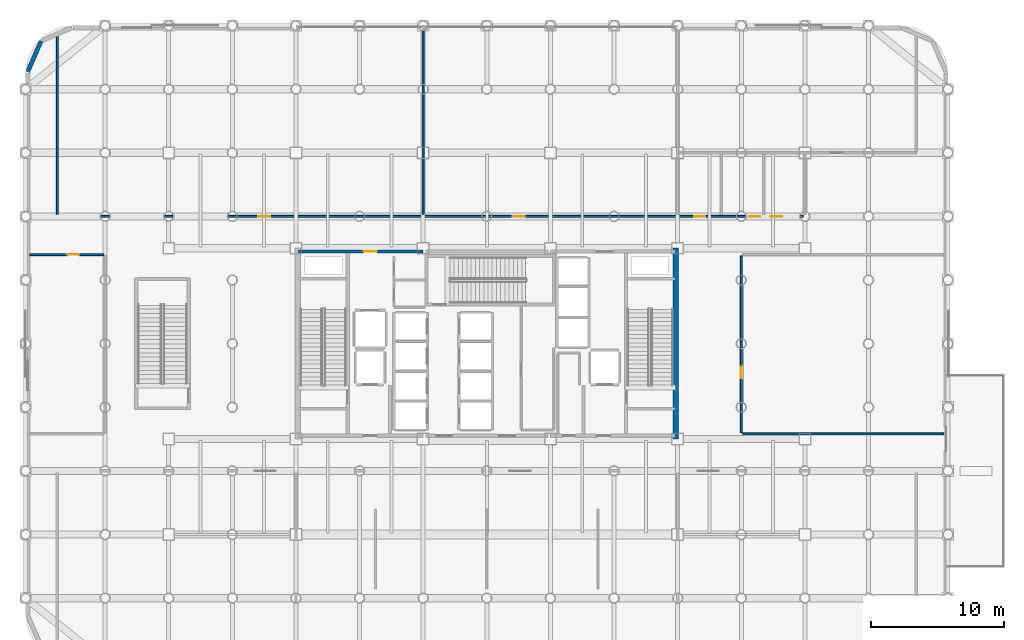
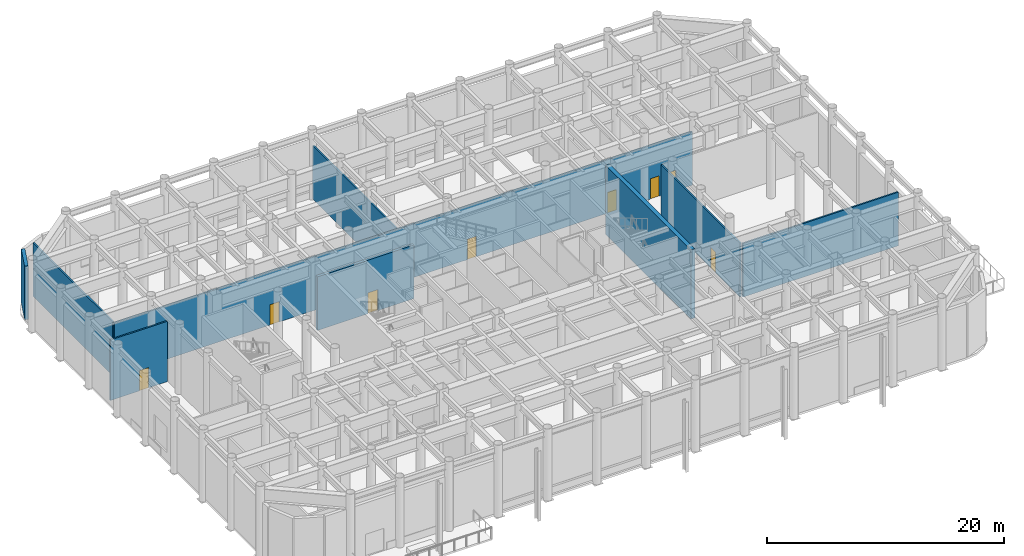
# One storey, part 16 of 23: 9 walls, 8 doors, 8 openings.
"""IFC4 building model written with IfcOpenShell, lengths in metres."""

from ifc_helpers import new_model, si_unit, direction, frame, frame_2d, origin, place, context, subcontext, project, spatial, rectangle, extrude, material, layer, layer_set, type_object, element, fill, save


model = new_model("IFC4")

# Units and contexts
model_context = context("Model", 3, precision=1e-05, world=origin(), true_north=direction((0.0, 1.0)))
body_context = subcontext(model_context, "Body", "Model", "MODEL_VIEW")
ifc_project = project(units=[si_unit("LENGTHUNIT", "METRE"), si_unit("AREAUNIT", "SQUARE_METRE"), si_unit("VOLUMEUNIT", "CUBIC_METRE"), si_unit("PLANEANGLEUNIT", "RADIAN"), si_unit("MASSUNIT", "GRAM", prefix="KILO")], contexts=[model_context])

# Site, building, storey
site_placement = place(None, origin())
site = spatial("IfcSite", under=ifc_project, at=site_placement, CompositionType="ELEMENT")
building_placement = place(site_placement, origin())
building = spatial("IfcBuilding", under=site, at=building_placement, Name="Kallvorn Hotel Tower", CompositionType="ELEMENT")
storey_placement = place(building_placement, frame((0.0, 0.0, 12.0)))
storey = spatial("IfcBuildingStorey", under=building, at=storey_placement, Name="L02", CompositionType="ELEMENT", Elevation=12.0)

# Walls
ifc_material_1 = material(Name="Concrete C50/60", Category="concrete")
ifc_layer_1 = layer(ifc_material_1, 0.39990234375)
ifc_layer_set_1 = layer_set([ifc_layer_1], Name="WL_CORE_400")
wall_type_1 = type_object("IfcWallType", Name="WL_CORE_400", PredefinedType="SHEAR", material=ifc_layer_set_1)
wall_1_placement = place(storey_placement, frame((14.264892578125, -7.199951171875, -0.219970703125), z_axis=(0.0, 0.0, 1.0), x_axis=(0.0, 1.0, 0.0)))
element("IfcWall", 1, at=wall_1_placement, inside=storey, type_object=wall_type_1, Name="L02 Core East Shear Wall", PredefinedType="SHEAR", context=body_context, shape_type="SweptSolid", body=[
    extrude(rectangle(XDim=14.39990234375, YDim=0.39990234375, at=frame_2d((7.199951171875, 0.0))), origin(), (0.0, 0.0, 1.0), 7.139892578125),
])
ifc_material_2 = material(Name="Precast basalt-clad insulated concrete wall C40/50", Category="masonry")
ifc_layer_2 = layer(ifc_material_2, 0.320068359375)
ifc_layer_set_2 = layer_set([ifc_layer_2], Name="WL_EXT_BAY_320")
wall_type_2 = type_object("IfcWallType", Name="WL_EXT_BAY_320", PredefinedType="SOLIDWALL", material=ifc_layer_set_2)
wall_2_placement = place(storey_placement, frame((-33.63232421875, 22.83251953125, 0.0), z_axis=(0.0, 0.0, 1.0), x_axis=(-0.398786293654, -0.917043887714, 0.0)))
element("IfcWall", 2, at=wall_2_placement, inside=storey, type_object=wall_type_2, Name="L02 Rounded Corner Exterior Wall NW2", PredefinedType="SOLIDWALL", context=body_context, shape_type="SweptSolid", body=[
    extrude(rectangle(XDim=2.521728515625, YDim=0.320068359375, at=frame_2d((1.2607421875, 0.0))), origin(), (0.0, 0.0, 1.0), 5.52001953125),
])
ifc_material_3 = material(Name="Fire-rated double-layer acoustic gypsum drywall EI 60")
ifc_layer_3 = layer(ifc_material_3, 0.14990234375)
ifc_layer_set_3 = layer_set([ifc_layer_3], Name="WL_PART_150")
wall_type_3 = type_object("IfcWallType", Name="WL_PART_150", PredefinedType="PARTITIONING", material=ifc_layer_set_3)
wall_3_placement = place(storey_placement, frame((19.320068359375, -6.800048828125, 0.0), z_axis=(0.0, 0.0, 1.0), x_axis=(1.0, 0.0, 0.0)))
element("IfcWall", 3, at=wall_3_placement, inside=storey, type_object=wall_type_3, Name="L02 East Cascade Terrace Banquet Gallery Partition", PredefinedType="PARTITIONING", context=body_context, shape_type="SweptSolid", body=[
    extrude(rectangle(XDim=15.14990234375, YDim=0.14990234375, at=frame_2d((7.574951171875, 0.0))), origin(), (0.0, 0.0, 1.0), 5.52001953125),
])

# Wall, opening, door
wall_4_placement = place(storey_placement, frame((-34.469970703125, 6.716796875, 0.0), z_axis=(0.0, 0.0, 1.0), x_axis=(1.0, 0.0, 0.0)))
wall_4 = element("IfcWall", 4, at=wall_4_placement, inside=storey, type_object=wall_type_3, Name="L02 West Ballroom Reception Bar Partition", PredefinedType="PARTITIONING", context=body_context, shape_type="SweptSolid", body=[
    extrude(rectangle(XDim=5.550048828125, YDim=0.14990234375, at=frame_2d((2.77490234375, 0.0))), origin(), (0.0, 0.0, 1.0), 6.219970703125),
])
opening_1_placement = place(wall_4_placement, frame((2.820068359375, 0.0, 0.0)))
opening_1 = element("IfcOpeningElement", 5, at=opening_1_placement, cuts=wall_4, Name="Opening SVD1", PredefinedType="OPENING", context=body_context, shape_type="SweptSolid", body=[
    extrude(rectangle(XDim=0.89990234375, YDim=2.10009765625, at=frame_2d((0.449951171875, 1.050048828125))), frame((0.0, 0.08984375, 0.0), z_axis=(0.0, -1.0, 0.0), x_axis=(1.0, 0.0, 0.0)), (0.0, 0.0, 1.0), 0.179931640625),
])
ifc_material_4 = material(Name="Galvanised painted steel fire-rated door assembly", Category="steel")
door_type_1 = type_object("IfcDoorType", Name="DR_SERV_900x2100", OperationType="NOTDEFINED", PredefinedType="DOOR", material=ifc_material_4)
door_1_placement = place(opening_1_placement, origin())
door_1 = element("IfcDoor", 6, at=door_1_placement, inside=storey, type_object=door_type_1, Name="L02 West Ballroom Reception Bar Door", OperationType="SINGLE_SWING_LEFT", OverallHeight=2.10009765625, OverallWidth=0.89990234375, PredefinedType="DOOR", context=body_context, shape_type="SweptSolid", body=[
    extrude(rectangle(XDim=0.89990234375, YDim=2.10009765625, at=frame_2d((0.449951171875, 1.050048828125))), frame((0.0, 0.02490234375, 0.0), z_axis=(0.0, -1.0, 0.0), x_axis=(1.0, 0.0, 0.0)), (0.0, 0.0, 1.0), 0.050048828125),
])
fill(opening_1, door_1)

# Wall, openings, doors
wall_5_placement = place(storey_placement, frame((-32.39990234375, 9.60009765625, 0.0), z_axis=(0.0, 0.0, 1.0), x_axis=(1.0, 0.0, 0.0)))
wall_5 = element("IfcWall", 7, at=wall_5_placement, inside=storey, type_object=wall_type_3, Name="L02 Banquet Production Kitchen and Servery Partition", PredefinedType="PARTITIONING", context=body_context, shape_type="SweptSolid", body=[
    extrude(rectangle(XDim=56.27978515625, YDim=0.14990234375, at=frame_2d((28.139892578125, 0.0))), origin(), (0.0, 0.0, 1.0), 5.52001953125),
])
opening_2_placement = place(wall_5_placement, frame((15.14990234375, 0.0, 0.0)))
opening_2 = element("IfcOpeningElement", 8, at=opening_2_placement, cuts=wall_5, Name="Opening SVD1", PredefinedType="OPENING", context=body_context, shape_type="SweptSolid", body=[
    extrude(rectangle(XDim=0.89990234375, YDim=2.10009765625, at=frame_2d((0.449951171875, 1.050048828125))), frame((0.0, 0.08984375, 0.0), z_axis=(0.0, -1.0, 0.0), x_axis=(1.0, 0.0, 0.0)), (0.0, 0.0, 1.0), 0.179931640625),
])
opening_3_placement = place(wall_5_placement, frame((34.35009765625, 0.0, 0.0)))
opening_3 = element("IfcOpeningElement", 9, at=opening_3_placement, cuts=wall_5, Name="Opening SVD1", PredefinedType="OPENING", context=body_context, shape_type="SweptSolid", body=[
    extrude(rectangle(XDim=0.89990234375, YDim=2.10009765625, at=frame_2d((0.449951171875, 1.050048828125))), frame((0.0, 0.08984375, 0.0), z_axis=(0.0, -1.0, 0.0), x_axis=(1.0, 0.0, 0.0)), (0.0, 0.0, 1.0), 0.179931640625),
])
opening_4_placement = place(wall_5_placement, frame((48.041015625, 0.0, 0.0)))
opening_4 = element("IfcOpeningElement", 10, at=opening_4_placement, cuts=wall_5, Name="Opening BD-I", PredefinedType="OPENING", context=body_context, shape_type="SweptSolid", body=[
    extrude(rectangle(XDim=0.860107421875, YDim=2.10009765625, at=frame_2d((0.43017578125, 1.050048828125))), frame((0.0, 0.08984375, 0.0), z_axis=(0.0, -1.0, 0.0), x_axis=(1.0, 0.0, 0.0)), (0.0, 0.0, 1.0), 0.179931640625),
])
opening_5_placement = place(wall_5_placement, frame((52.18505859375, 0.0, 0.0)))
opening_5 = element("IfcOpeningElement", 11, at=opening_5_placement, cuts=wall_5, Name="Opening BD-I", PredefinedType="OPENING", context=body_context, shape_type="SweptSolid", body=[
    extrude(rectangle(XDim=0.860107421875, YDim=2.10009765625, at=frame_2d((0.43017578125, 1.050048828125))), frame((0.0, 0.08984375, 0.0), z_axis=(0.0, -1.0, 0.0), x_axis=(1.0, 0.0, 0.0)), (0.0, 0.0, 1.0), 0.179931640625),
])
opening_6_placement = place(wall_5_placement, frame((53.820556640625, 0.0, 0.0)))
opening_6 = element("IfcOpeningElement", 12, at=opening_6_placement, cuts=wall_5, Name="Opening BD-I", PredefinedType="OPENING", context=body_context, shape_type="SweptSolid", body=[
    extrude(rectangle(XDim=0.860107421875, YDim=2.10009765625, at=frame_2d((0.43017578125, 1.050048828125))), frame((0.0, 0.08984375, 0.0), z_axis=(0.0, -1.0, 0.0), x_axis=(1.0, 0.0, 0.0)), (0.0, 0.0, 1.0), 0.179931640625),
])
ifc_material_5 = material(Name="Solid-core walnut veneer fire-rated timber door leaf", Category="wood")
door_type_2 = type_object("IfcDoorType", Name="DR_BATH_860x2100", OperationType="NOTDEFINED", PredefinedType="DOOR", material=ifc_material_5)
door_2_placement = place(opening_4_placement, origin())
door_2 = element("IfcDoor", 13, at=door_2_placement, inside=storey, type_object=door_type_2, Name="L02 Public Male Restroom WC Door", OperationType="SINGLE_SWING_RIGHT", OverallHeight=2.10009765625, OverallWidth=0.860107421875, PredefinedType="DOOR", context=body_context, shape_type="SweptSolid", body=[
    extrude(rectangle(XDim=0.860107421875, YDim=2.10009765625, at=frame_2d((0.43017578125, 1.050048828125))), frame((0.0, 0.02490234375, 0.0), z_axis=(0.0, -1.0, 0.0), x_axis=(1.0, 0.0, 0.0)), (0.0, 0.0, 1.0), 0.050048828125),
])
fill(opening_4, door_2)
door_3_placement = place(opening_5_placement, origin())
door_3 = element("IfcDoor", 14, at=door_3_placement, inside=storey, type_object=door_type_2, Name="L02 Public Female Restroom WC Door", OperationType="SINGLE_SWING_LEFT", OverallHeight=2.10009765625, OverallWidth=0.860107421875, PredefinedType="DOOR", context=body_context, shape_type="SweptSolid", body=[
    extrude(rectangle(XDim=0.860107421875, YDim=2.10009765625, at=frame_2d((0.43017578125, 1.050048828125))), frame((0.0, 0.02490234375, 0.0), z_axis=(0.0, -1.0, 0.0), x_axis=(1.0, 0.0, 0.0)), (0.0, 0.0, 1.0), 0.050048828125),
])
fill(opening_5, door_3)
door_4_placement = place(opening_6_placement, origin())
door_4 = element("IfcDoor", 15, at=door_4_placement, inside=storey, type_object=door_type_2, Name="L02 Accessible Restroom WC Door", OperationType="SINGLE_SWING_LEFT", OverallHeight=2.10009765625, OverallWidth=0.860107421875, PredefinedType="DOOR", context=body_context, shape_type="SweptSolid", body=[
    extrude(rectangle(XDim=0.860107421875, YDim=2.10009765625, at=frame_2d((0.43017578125, 1.050048828125))), frame((0.0, 0.02490234375, 0.0), z_axis=(0.0, -1.0, 0.0), x_axis=(1.0, 0.0, 0.0)), (0.0, 0.0, 1.0), 0.050048828125),
])
fill(opening_6, door_4)
door_5_placement = place(opening_2_placement, origin())
door_5 = element("IfcDoor", 16, at=door_5_placement, inside=storey, type_object=door_type_1, Name="L02 Banquet Production Kitchen and Servery Door", OperationType="SINGLE_SWING_RIGHT", OverallHeight=2.10009765625, OverallWidth=0.89990234375, PredefinedType="DOOR", context=body_context, shape_type="SweptSolid", body=[
    extrude(rectangle(XDim=0.89990234375, YDim=2.10009765625, at=frame_2d((0.449951171875, 1.050048828125))), frame((0.0, 0.02490234375, 0.0), z_axis=(0.0, -1.0, 0.0), x_axis=(1.0, 0.0, 0.0)), (0.0, 0.0, 1.0), 0.050048828125),
])
fill(opening_2, door_5)
door_6_placement = place(opening_3_placement, origin())
door_6 = element("IfcDoor", 17, at=door_6_placement, inside=storey, type_object=door_type_1, Name="L02 VIP Bridal Dining Salon Door", OperationType="SINGLE_SWING_RIGHT", OverallHeight=2.10009765625, OverallWidth=0.89990234375, PredefinedType="DOOR", context=body_context, shape_type="SweptSolid", body=[
    extrude(rectangle(XDim=0.89990234375, YDim=2.10009765625, at=frame_2d((0.449951171875, 1.050048828125))), frame((0.0, 0.02490234375, 0.0), z_axis=(0.0, -1.0, 0.0), x_axis=(1.0, 0.0, 0.0)), (0.0, 0.0, 1.0), 0.050048828125),
])
fill(opening_3, door_6)

# Walls
wall_6_placement = place(storey_placement, frame((-32.39990234375, 9.75, 0.0), z_axis=(0.0, 0.0, 1.0), x_axis=(0.0, 1.0, 0.0)))
element("IfcWall", 18, at=wall_6_placement, inside=storey, type_object=wall_type_3, Name="L02 Banquet Production Kitchen and Servery Partition", PredefinedType="PARTITIONING", context=body_context, shape_type="SweptSolid", body=[
    extrude(rectangle(XDim=13.4482421875, YDim=0.14990234375, at=frame_2d((6.72412109375, 0.0))), origin(), (0.0, 0.0, 1.0), 5.52001953125),
])
wall_7_placement = place(storey_placement, frame((-4.800048828125, 9.75, 0.0), z_axis=(0.0, 0.0, 1.0), x_axis=(0.0, 1.0, 0.0)))
element("IfcWall", 19, at=wall_7_placement, inside=storey, type_object=wall_type_3, Name="L02 Banquet Production Kitchen and Servery Partition", PredefinedType="PARTITIONING", context=body_context, shape_type="SweptSolid", body=[
    extrude(rectangle(XDim=14.044921875, YDim=0.14990234375, at=frame_2d((7.0224609375, 0.0))), origin(), (0.0, 0.0, 1.0), 5.52001953125),
])

# Wall, opening, door
wall_8_placement = place(storey_placement, frame((19.199951171875, -6.715087890625, 0.0), z_axis=(0.0, 0.0, 1.0), x_axis=(0.0, 1.0, 0.0)))
wall_8 = element("IfcWall", 20, at=wall_8_placement, inside=storey, type_object=wall_type_3, Name="L02 East Cascade Terrace Banquet Gallery Partition", PredefinedType="PARTITIONING", context=body_context, shape_type="SweptSolid", body=[
    extrude(rectangle(XDim=13.3466796875, YDim=0.14990234375, at=frame_2d((6.67333984375, 0.0))), origin(), (0.0, 0.0, 1.0), 5.52001953125),
])
opening_7_placement = place(wall_8_placement, frame((4.08984375, 0.0, 0.0)))
opening_7 = element("IfcOpeningElement", 21, at=opening_7_placement, cuts=wall_8, Name="Opening SVD1", PredefinedType="OPENING", context=body_context, shape_type="SweptSolid", body=[
    extrude(rectangle(XDim=0.89990234375, YDim=2.10009765625, at=frame_2d((0.449951171875, 1.050048828125))), frame((0.0, 0.08984375, 0.0), z_axis=(0.0, -1.0, 0.0), x_axis=(1.0, 0.0, 0.0)), (0.0, 0.0, 1.0), 0.179931640625),
])
door_7_placement = place(opening_7_placement, origin())
door_7 = element("IfcDoor", 22, at=door_7_placement, inside=storey, type_object=door_type_1, Name="L02 East Cascade Terrace Banquet Gallery Door", OperationType="SINGLE_SWING_LEFT", OverallHeight=2.10009765625, OverallWidth=0.89990234375, PredefinedType="DOOR", context=body_context, shape_type="SweptSolid", body=[
    extrude(rectangle(XDim=0.89990234375, YDim=2.10009765625, at=frame_2d((0.449951171875, 1.050048828125))), frame((0.0, 0.02490234375, 0.0), z_axis=(0.0, -1.0, 0.0), x_axis=(1.0, 0.0, 0.0)), (0.0, 0.0, 1.0), 0.050048828125),
])
fill(opening_7, door_7)

ifc_material_6 = material(Name="Concrete C40/50", Category="concrete")
ifc_layer_4 = layer(ifc_material_6, 0.25)
ifc_layer_set_4 = layer_set([ifc_layer_4], Name="WL_SHAFT_250")
wall_type_4 = type_object("IfcWallType", Name="WL_SHAFT_250", PredefinedType="SOLIDWALL", material=ifc_layer_set_4)
wall_9_placement = place(storey_placement, frame((-14.199951171875, 6.949951171875, 0.0), z_axis=(0.0, 0.0, 1.0), x_axis=(1.0, 0.0, 0.0)))
wall_9 = element("IfcWall", 23, at=wall_9_placement, inside=storey, type_object=wall_type_4, Name="L02 Core North-West Wall", PredefinedType="SOLIDWALL", context=body_context, shape_type="SweptSolid", body=[
    extrude(rectangle(XDim=9.39990234375, YDim=0.25, at=frame_2d((4.699951171875, 0.0))), origin(), (0.0, 0.0, 1.0), 5.52001953125),
])
opening_8_placement = place(wall_9_placement, frame((4.89990234375, 0.0, 0.0)))
opening_8 = element("IfcOpeningElement", 24, at=opening_8_placement, cuts=wall_9, Name="Opening FD1", PredefinedType="OPENING", context=body_context, shape_type="SweptSolid", body=[
    extrude(rectangle(XDim=1.0, YDim=2.14990234375, at=frame_2d((0.5, 1.074951171875))), frame((0.0, 0.139892578125, 0.0), z_axis=(0.0, -1.0, 0.0), x_axis=(1.0, 0.0, 0.0)), (0.0, 0.0, 1.0), 0.280029296875),
])
ifc_material_7 = material(Name="Galvanised painted steel fire-rated door assembly", Category="steel")
door_type_3 = type_object("IfcDoorType", Name="DR_FFL_1000x2150", OperationType="NOTDEFINED", PredefinedType="DOOR", material=ifc_material_7)
door_8_placement = place(opening_8_placement, origin())
door_8 = element("IfcDoor", 25, at=door_8_placement, inside=storey, type_object=door_type_3, Name="L02 Service Lift Lobby Door", OperationType="SINGLE_SWING_LEFT", OverallHeight=2.14990234375, OverallWidth=1.0, PredefinedType="DOOR", context=body_context, shape_type="SweptSolid", body=[
    extrude(rectangle(XDim=1.0, YDim=2.14990234375, at=frame_2d((0.5, 1.074951171875))), frame((0.0, 0.02490234375, 0.0), z_axis=(0.0, -1.0, 0.0), x_axis=(1.0, 0.0, 0.0)), (0.0, 0.0, 1.0), 0.050048828125),
])
fill(opening_8, door_8)

save(model, "model.ifc")
